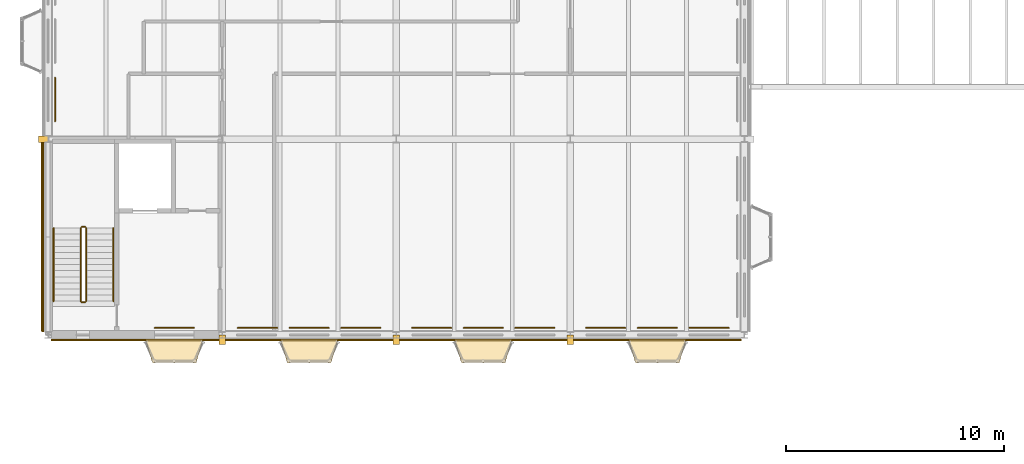
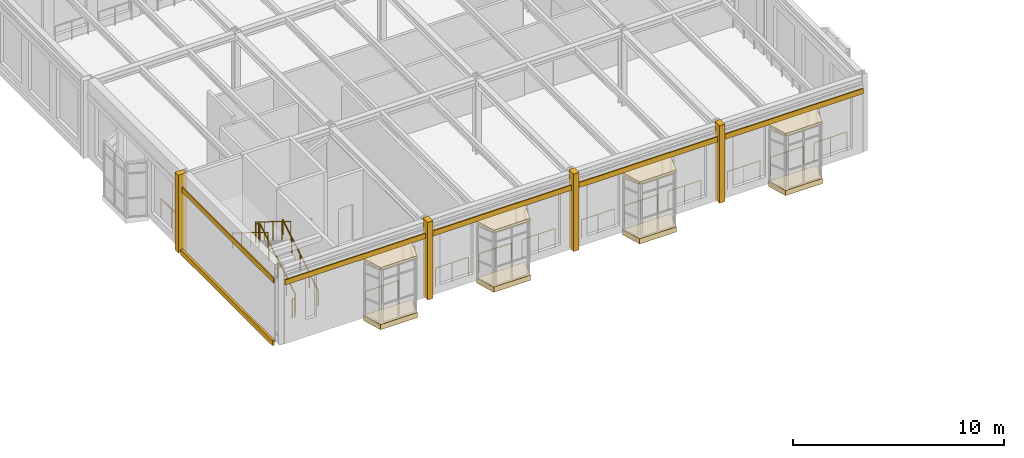
# One storey, part 138 of 153: 18 coverings, 17 railings.
"""IFC4 building model written with IfcOpenShell, lengths in metres."""

from ifc_helpers import new_model, si_unit, direction, frame, origin, origin_2d, place, context, subcontext, project, spatial, polyline, rectangle, circle, outline, extrude, material, layer, layer_set, type_object, element, save


model = new_model("IFC4")

# Units and contexts
model_context = context("Model", 3, precision=1e-05, world=origin(), true_north=direction((0.0, 1.0)))
body_context = subcontext(model_context, "Body", "Model", "MODEL_VIEW")
ifc_project = project(units=[si_unit("LENGTHUNIT", "METRE"), si_unit("AREAUNIT", "SQUARE_METRE"), si_unit("VOLUMEUNIT", "CUBIC_METRE"), si_unit("PLANEANGLEUNIT", "RADIAN"), si_unit("MASSUNIT", "GRAM", prefix="KILO")], contexts=[model_context])

# Site, building, storey
site_placement = place(None, origin())
site = spatial("IfcSite", under=ifc_project, at=site_placement, CompositionType="ELEMENT")
building_placement = place(site_placement, origin())
building = spatial("IfcBuilding", under=site, at=building_placement, Name="Kallimachos Central Library", CompositionType="ELEMENT")
storey_placement = place(building_placement, frame((0.0, 0.0, 5.39990234375)))
storey = spatial("IfcBuildingStorey", under=building, at=storey_placement, Name="L01", CompositionType="ELEMENT", Elevation=5.39990234375)

# Railings
ifc_material_1 = material(Name="Steel S355J2", Category="steel")
railing_type_1 = type_object("IfcRailingType", Name="Stair guard 1100", PredefinedType="GUARDRAIL", material=ifc_material_1)
railing_1_placement = place(storey_placement, frame((7.75, 88.550048828125, 0.173095703125)))
element("IfcRailing", 1, at=railing_1_placement, inside=storey, type_object=railing_type_1, Name="L01 ST5 stair guard 1", PredefinedType="GUARDRAIL", context=body_context, shape_type="SweptSolid", body=[
    extrude(circle(Radius=0.02392578125, at=origin_2d()), frame((0.0, 0.0, 1.076171875), z_axis=(0.0, 0.850606129759, 0.525803396734), x_axis=(-1.0, 0.0, 0.0)), (0.0, 0.0, 1.0), 3.949951171875),
    extrude(circle(Radius=0.02099609375, at=origin_2d()), origin(), (0.0, 0.0, 1.0), 1.052001953125),
    extrude(circle(Radius=0.02099609375, at=origin_2d()), frame((0.0, 0.83984375, 0.519287109375)), (0.0, 0.0, 1.0), 1.052001953125),
    extrude(circle(Radius=0.02099609375, at=origin_2d()), frame((0.0, 1.679931640625, 1.03857421875)), (0.0, 0.0, 1.0), 1.052001953125),
    extrude(circle(Radius=0.02099609375, at=origin_2d()), frame((0.0, 2.52001953125, 1.5576171875)), (0.0, 0.0, 1.0), 1.052001953125),
    extrude(circle(Radius=0.02099609375, at=origin_2d()), frame((0.0, 3.35986328125, 2.076904296875)), (0.0, 0.0, 1.0), 1.052001953125),
])
railing_2_placement = place(storey_placement, frame((7.699951171875, 91.9599609375, 2.25)))
element("IfcRailing", 2, at=railing_2_placement, inside=storey, type_object=railing_type_1, Name="L01 ST5 stair guard 2", PredefinedType="GUARDRAIL", context=body_context, shape_type="SweptSolid", body=[
    extrude(circle(Radius=0.02392578125, at=origin_2d()), frame((0.0, 0.0, 1.076171875), z_axis=(-1.0, 0.0, 0.0), x_axis=(0.0, -1.0, 0.0)), (0.0, 0.0, 1.0), 0.14990234375),
    extrude(circle(Radius=0.02099609375, at=origin_2d()), origin(), (0.0, 0.0, 1.0), 1.052001953125),
    extrude(circle(Radius=0.02099609375, at=origin_2d()), frame((-0.14990234375, 0.0, 0.0)), (0.0, 0.0, 1.0), 1.052001953125),
])
railing_3_placement = place(storey_placement, frame((7.5, 91.909912109375, 2.423095703125)))
element("IfcRailing", 3, at=railing_3_placement, inside=storey, type_object=railing_type_1, Name="L01 ST5 stair guard 3", PredefinedType="GUARDRAIL", context=body_context, shape_type="SweptSolid", body=[
    extrude(circle(Radius=0.02392578125, at=origin_2d()), frame((0.0, 0.0, 1.076171875), z_axis=(0.0, -0.850606129759, 0.525803396734), x_axis=(1.0, 0.0, 0.0)), (0.0, 0.0, 1.0), 3.949951171875),
    extrude(circle(Radius=0.02099609375, at=origin_2d()), origin(), (0.0, 0.0, 1.0), 1.052001953125),
    extrude(circle(Radius=0.02099609375, at=origin_2d()), frame((0.0, -0.83984375, 0.519287109375)), (0.0, 0.0, 1.0), 1.052001953125),
    extrude(circle(Radius=0.02099609375, at=origin_2d()), frame((0.0, -1.679931640625, 1.03857421875)), (0.0, 0.0, 1.0), 1.052001953125),
    extrude(circle(Radius=0.02099609375, at=origin_2d()), frame((0.0, -2.52001953125, 1.5576171875)), (0.0, 0.0, 1.0), 1.052001953125),
    extrude(circle(Radius=0.02099609375, at=origin_2d()), frame((0.0, -3.35986328125, 2.076904296875)), (0.0, 0.0, 1.0), 1.052001953125),
])
railing_4_placement = place(storey_placement, frame((7.699951171875, 88.5, 0.0)))
element("IfcRailing", 4, at=railing_4_placement, inside=storey, type_object=railing_type_1, Name="L01 ST5 stair guard 4", PredefinedType="GUARDRAIL", context=body_context, shape_type="SweptSolid", body=[
    extrude(circle(Radius=0.02392578125, at=origin_2d()), frame((0.0, 0.0, 1.076171875), z_axis=(-1.0, 0.0, 0.0), x_axis=(0.0, -1.0, 0.0)), (0.0, 0.0, 1.0), 0.14990234375),
    extrude(circle(Radius=0.02099609375, at=origin_2d()), origin(), (0.0, 0.0, 1.0), 1.052001953125),
    extrude(circle(Radius=0.02099609375, at=origin_2d()), frame((-0.14990234375, 0.0, 0.0)), (0.0, 0.0, 1.0), 1.052001953125),
])
ifc_material_2 = material(Name="Steel S355J2", Category="steel")
railing_type_2 = type_object("IfcRailingType", Name="Stair handrail 900", PredefinedType="HANDRAIL", material=ifc_material_2)
railing_5_placement = place(storey_placement, frame((9.0, 88.550048828125, 0.173095703125)))
element("IfcRailing", 5, at=railing_5_placement, inside=storey, type_object=railing_type_2, Name="L01 ST5 stair handrail 1", PredefinedType="HANDRAIL", context=body_context, shape_type="SweptSolid", body=[
    extrude(circle(Radius=0.02392578125, at=origin_2d()), frame((0.0, 0.0, 0.8759765625), z_axis=(0.0, 0.850606129759, 0.525803396734), x_axis=(-1.0, 0.0, 0.0)), (0.0, 0.0, 1.0), 3.949951171875),
    extrude(circle(Radius=0.02099609375, at=origin_2d()), origin(), (0.0, 0.0, 1.0), 0.851806640625),
    extrude(circle(Radius=0.02099609375, at=origin_2d()), frame((0.0, 0.83984375, 0.519287109375)), (0.0, 0.0, 1.0), 0.851806640625),
    extrude(circle(Radius=0.02099609375, at=origin_2d()), frame((0.0, 1.679931640625, 1.03857421875)), (0.0, 0.0, 1.0), 0.851806640625),
    extrude(circle(Radius=0.02099609375, at=origin_2d()), frame((0.0, 2.52001953125, 1.5576171875)), (0.0, 0.0, 1.0), 0.851806640625),
    extrude(circle(Radius=0.02099609375, at=origin_2d()), frame((0.0, 3.35986328125, 2.076904296875)), (0.0, 0.0, 1.0), 0.851806640625),
])
railing_6_placement = place(storey_placement, frame((6.25, 91.909912109375, 2.423095703125)))
element("IfcRailing", 6, at=railing_6_placement, inside=storey, type_object=railing_type_2, Name="L01 ST5 stair handrail 2", PredefinedType="HANDRAIL", context=body_context, shape_type="SweptSolid", body=[
    extrude(circle(Radius=0.02392578125, at=origin_2d()), frame((0.0, 0.0, 0.8759765625), z_axis=(0.0, -0.850606129759, 0.525803396734), x_axis=(1.0, 0.0, 0.0)), (0.0, 0.0, 1.0), 3.949951171875),
    extrude(circle(Radius=0.02099609375, at=origin_2d()), origin(), (0.0, 0.0, 1.0), 0.851806640625),
    extrude(circle(Radius=0.02099609375, at=origin_2d()), frame((0.0, -0.83984375, 0.519287109375)), (0.0, 0.0, 1.0), 0.851806640625),
    extrude(circle(Radius=0.02099609375, at=origin_2d()), frame((0.0, -1.679931640625, 1.03857421875)), (0.0, 0.0, 1.0), 0.851806640625),
    extrude(circle(Radius=0.02099609375, at=origin_2d()), frame((0.0, -2.52001953125, 1.5576171875)), (0.0, 0.0, 1.0), 0.851806640625),
    extrude(circle(Radius=0.02099609375, at=origin_2d()), frame((0.0, -3.35986328125, 2.076904296875)), (0.0, 0.0, 1.0), 0.851806640625),
])

# Coverings
ifc_material_3 = material(Name="Pentelic marble pilaster", Category="masonry")
ifc_layer_1 = layer(ifc_material_3, 0.25)
ifc_layer_set_1 = layer_set([ifc_layer_1], Name="Stone pilaster 250")
covering_type_1 = type_object("IfcCoveringType", Name="Stone pilaster 250", PredefinedType="CLADDING", material=ifc_layer_set_1)
for number, where, z_axis, x_axis, name in (
    (7, (14.0, 86.77490234375, 0.0), (0.0, 0.0, 1.0), (1.0, 0.0, 0.0), "Stone pilaster 250 -L01-005"),
    (8, (22.0, 86.77490234375, 0.0), (0.0, 0.0, 1.0), (1.0, 0.0, 0.0), "Stone pilaster 250 -L01-006"),
    (9, (30.0, 86.77490234375, 0.0), (0.0, 0.0, 1.0), (1.0, 0.0, 0.0), "Stone pilaster 250 -L01-007"),
):
    element("IfcCovering", number, at=place(storey_placement, frame(where, z_axis=z_axis, x_axis=x_axis)), inside=storey, type_object=covering_type_1, Name=name, PredefinedType="CLADDING", context=body_context, shape_type="SweptSolid", body=[
        extrude(rectangle(XDim=0.300048828125, YDim=0.449951171875, at=origin_2d()), origin(), (0.0, 0.0, 1.0), 4.5),
    ])
covering_1_placement = place(storey_placement, frame((5.77490234375, 96.0, 0.0), z_axis=(0.0, 0.0, 1.0), x_axis=(1.0, 0.0, 0.0)))
element("IfcCovering", 10, at=covering_1_placement, inside=storey, type_object=covering_type_1, Name="Stone pilaster 250 -L01-013", PredefinedType="CLADDING", context=body_context, shape_type="SweptSolid", body=[
    extrude(rectangle(XDim=0.449951171875, YDim=0.300048828125, at=origin_2d()), origin(), (0.0, 0.0, 1.0), 4.5),
])
ifc_material_4 = material(Name="Pentelic marble string course", Category="masonry")
ifc_layer_2 = layer(ifc_material_4, 0.1201171875)
ifc_layer_set_2 = layer_set([ifc_layer_2], Name="Stone string course 300")
covering_type_2 = type_object("IfcCoveringType", Name="Stone string course 300", PredefinedType="MOLDING", material=ifc_layer_set_2)
covering_2_placement = place(storey_placement, frame((5.739990234375, 91.5, -0.14990234375), z_axis=(0.0, 0.0, 1.0), x_axis=(1.0, 0.0, 0.0)))
element("IfcCovering", 11, at=covering_2_placement, inside=storey, type_object=covering_type_2, Name="Stone string course 300 -L01-013", PredefinedType="MOLDING", context=body_context, shape_type="SweptSolid", body=[
    extrude(rectangle(XDim=0.1201171875, YDim=8.699951171875, at=origin_2d()), origin(), (0.0, 0.0, 1.0), 0.300048828125),
])
ifc_material_5 = material(Name="Lead-coated copper sheet")
ifc_layer_3 = layer(ifc_material_5, 0.14990234375)
ifc_layer_set_3 = layer_set([ifc_layer_3], Name="Tribune bay roof cap 150")
covering_type_3 = type_object("IfcCoveringType", Name="Tribune bay roof cap 150", PredefinedType="ROOFING", material=ifc_layer_set_3)
covering_3_placement = place(storey_placement, frame((0.0, 0.0, 3.300048828125)))
element("IfcCovering", 12, at=covering_3_placement, inside=storey, type_object=covering_type_3, Name="Tribune bay roof cap", PredefinedType="ROOFING", context=body_context, shape_type="SweptSolid", body=[
    extrude(outline(polyline([(10.47509765625, 86.800048828125), (13.125, 86.800048828125), (12.804931640625, 85.719970703125), (10.794921875, 85.719970703125), (10.47509765625, 86.800048828125)])), origin(), (0.0, 0.0, 1.0), 0.150146484375),
])
covering_4_placement = place(storey_placement, frame((0.0, 0.0, 3.300048828125)))
element("IfcCovering", 13, at=covering_4_placement, inside=storey, type_object=covering_type_3, Name="Tribune bay roof cap", PredefinedType="ROOFING", context=body_context, shape_type="SweptSolid", body=[
    extrude(outline(polyline([(16.675048828125, 86.800048828125), (19.324951171875, 86.800048828125), (19.0048828125, 85.719970703125), (16.9951171875, 85.719970703125), (16.675048828125, 86.800048828125)])), origin(), (0.0, 0.0, 1.0), 0.150146484375),
])
covering_5_placement = place(storey_placement, frame((0.0, 0.0, 3.300048828125)))
element("IfcCovering", 14, at=covering_5_placement, inside=storey, type_object=covering_type_3, Name="Tribune bay roof cap", PredefinedType="ROOFING", context=body_context, shape_type="SweptSolid", body=[
    extrude(outline(polyline([(24.675048828125, 86.800048828125), (27.324951171875, 86.800048828125), (27.0048828125, 85.719970703125), (24.9951171875, 85.719970703125), (24.675048828125, 86.800048828125)])), origin(), (0.0, 0.0, 1.0), 0.150146484375),
])
covering_6_placement = place(storey_placement, frame((0.0, 0.0, 3.300048828125)))
element("IfcCovering", 15, at=covering_6_placement, inside=storey, type_object=covering_type_3, Name="Tribune bay roof cap", PredefinedType="ROOFING", context=body_context, shape_type="SweptSolid", body=[
    extrude(outline(polyline([(32.675048828125, 86.800048828125), (35.324951171875, 86.800048828125), (35.0048828125, 85.719970703125), (32.9951171875, 85.719970703125), (32.675048828125, 86.800048828125)])), origin(), (0.0, 0.0, 1.0), 0.150146484375),
])
ifc_material_6 = material(Name="Pentelic marble tribune base", Category="masonry")
ifc_layer_4 = layer(ifc_material_6, 0.300048828125)
ifc_layer_set_4 = layer_set([ifc_layer_4], Name="Tribune bay stone base 300")
covering_type_4 = type_object("IfcCoveringType", Name="Tribune bay stone base 300", PredefinedType="MOLDING", material=ifc_layer_set_4)
covering_7_placement = place(storey_placement, frame((0.0, 0.0, -0.14990234375)))
element("IfcCovering", 16, at=covering_7_placement, inside=storey, type_object=covering_type_4, Name="Tribune bay base", PredefinedType="MOLDING", context=body_context, shape_type="SweptSolid", body=[
    extrude(outline(polyline([(10.47509765625, 86.800048828125), (13.125, 86.800048828125), (12.804931640625, 85.719970703125), (10.794921875, 85.719970703125), (10.47509765625, 86.800048828125)])), origin(), (0.0, 0.0, 1.0), 0.300048828125),
])
covering_8_placement = place(storey_placement, frame((0.0, 0.0, -0.14990234375)))
element("IfcCovering", 17, at=covering_8_placement, inside=storey, type_object=covering_type_4, Name="Tribune bay base", PredefinedType="MOLDING", context=body_context, shape_type="SweptSolid", body=[
    extrude(outline(polyline([(16.675048828125, 86.800048828125), (19.324951171875, 86.800048828125), (19.0048828125, 85.719970703125), (16.9951171875, 85.719970703125), (16.675048828125, 86.800048828125)])), origin(), (0.0, 0.0, 1.0), 0.300048828125),
])
covering_9_placement = place(storey_placement, frame((0.0, 0.0, -0.14990234375)))
element("IfcCovering", 18, at=covering_9_placement, inside=storey, type_object=covering_type_4, Name="Tribune bay base", PredefinedType="MOLDING", context=body_context, shape_type="SweptSolid", body=[
    extrude(outline(polyline([(24.675048828125, 86.800048828125), (27.324951171875, 86.800048828125), (27.0048828125, 85.719970703125), (24.9951171875, 85.719970703125), (24.675048828125, 86.800048828125)])), origin(), (0.0, 0.0, 1.0), 0.300048828125),
])
covering_10_placement = place(storey_placement, frame((0.0, 0.0, -0.14990234375)))
element("IfcCovering", 19, at=covering_10_placement, inside=storey, type_object=covering_type_4, Name="Tribune bay base", PredefinedType="MOLDING", context=body_context, shape_type="SweptSolid", body=[
    extrude(outline(polyline([(32.675048828125, 86.800048828125), (35.324951171875, 86.800048828125), (35.0048828125, 85.719970703125), (32.9951171875, 85.719970703125), (32.675048828125, 86.800048828125)])), origin(), (0.0, 0.0, 1.0), 0.300048828125),
])

# Railings
ifc_material_7 = material(Name="Wrought iron")
railing_type_3 = type_object("IfcRailingType", Name="Window guard 1100", PredefinedType="GUARDRAIL", material=ifc_material_7)
railing_7_placement = place(storey_placement, frame((10.89990234375, 87.320068359375, 0.0)))
element("IfcRailing", 20, at=railing_7_placement, inside=storey, type_object=railing_type_3, Name="Window guard", PredefinedType="GUARDRAIL", context=body_context, shape_type="SweptSolid", body=[
    extrude(circle(Radius=0.02392578125, at=origin_2d()), frame((0.0, 0.0, 1.076171875), z_axis=(1.0, 0.0, 0.0), x_axis=(0.0, 1.0, 0.0)), (0.0, 0.0, 1.0), 1.800048828125),
    extrude(circle(Radius=0.02099609375, at=origin_2d()), origin(), (0.0, 0.0, 1.0), 1.052001953125),
    extrude(circle(Radius=0.02099609375, at=origin_2d()), frame((0.89990234375, 0.0, 0.0)), (0.0, 0.0, 1.0), 1.052001953125),
    extrude(circle(Radius=0.02099609375, at=origin_2d()), frame((1.800048828125, 0.0, 0.0)), (0.0, 0.0, 1.0), 1.052001953125),
])
for number, where, name in (
    (21, (14.72509765625, 87.320068359375, 0.0), "Window guard"),
    (22, (17.10009765625, 87.320068359375, 0.0), "Window guard"),
    (23, (19.47509765625, 87.320068359375, 0.0), "Window guard"),
    (24, (22.72509765625, 87.320068359375, 0.0), "Window guard"),
    (25, (25.10009765625, 87.320068359375, 0.0), "Window guard"),
    (26, (27.47509765625, 87.320068359375, 0.0), "Window guard"),
    (27, (30.72509765625, 87.320068359375, 0.0), "Window guard"),
    (28, (33.10009765625, 87.320068359375, 0.0), "Window guard"),
    (29, (35.47509765625, 87.320068359375, 0.0), "Window guard"),
):
    element("IfcRailing", number, at=place(storey_placement, frame(where)), inside=storey, type_object=railing_type_3, Name=name, PredefinedType="GUARDRAIL", context=body_context, shape_type="SweptSolid", body=[
        extrude(circle(Radius=0.02392578125, at=origin_2d()), frame((0.0, 0.0, 1.076171875), z_axis=(1.0, 0.0, 0.0), x_axis=(0.0, 1.0, 0.0)), (0.0, 0.0, 1.0), 1.7998046875),
        extrude(circle(Radius=0.02099609375, at=origin_2d()), origin(), (0.0, 0.0, 1.0), 1.052001953125),
        extrude(circle(Radius=0.02099609375, at=origin_2d()), frame((0.89990234375, 0.0, 0.0)), (0.0, 0.0, 1.0), 1.052001953125),
        extrude(circle(Radius=0.02099609375, at=origin_2d()), frame((1.7998046875, 0.0, 0.0)), (0.0, 0.0, 1.0), 1.052001953125),
    ])
railing_8_placement = place(storey_placement, frame((6.320068359375, 96.824951171875, 0.0)))
element("IfcRailing", 30, at=railing_8_placement, inside=storey, type_object=railing_type_3, Name="Window guard", PredefinedType="GUARDRAIL", context=body_context, shape_type="SweptSolid", body=[
    extrude(circle(Radius=0.02392578125, at=origin_2d()), frame((0.0, 0.0, 1.076171875), z_axis=(0.0, 1.0, 0.0), x_axis=(-1.0, 0.0, 0.0)), (0.0, 0.0, 1.0), 2.0),
    extrude(circle(Radius=0.02099609375, at=origin_2d()), origin(), (0.0, 0.0, 1.0), 1.052001953125),
    extrude(circle(Radius=0.02099609375, at=origin_2d()), frame((0.0, 1.0, 0.0)), (0.0, 0.0, 1.0), 1.052001953125),
    extrude(circle(Radius=0.02099609375, at=origin_2d()), frame((0.0, 2.0, 0.0)), (0.0, 0.0, 1.0), 1.052001953125),
])

# Coverings
ifc_material_8 = material(Name="Pentelic marble", Category="masonry")
ifc_layer_5 = layer(ifc_material_8, 0.06005859375)
ifc_layer_set_5 = layer_set([ifc_layer_5], Name="Window head band")
covering_type_5 = type_object("IfcCoveringType", Name="Window head band", PredefinedType="MOLDING", material=ifc_layer_set_5)
for number, where, z_axis, x_axis, name in (
    (31, (10.0, 86.77001953125, 3.4501953125), (0.0, 0.0, 1.0), (1.0, 0.0, 0.0), "head band S6"),
    (32, (18.0, 86.77001953125, 3.4501953125), (0.0, 0.0, 1.0), (1.0, 0.0, 0.0), "head band S14"),
    (33, (26.0, 86.77001953125, 3.4501953125), (0.0, 0.0, 1.0), (1.0, 0.0, 0.0), "head band S22"),
    (34, (34.0, 86.77001953125, 3.4501953125), (0.0, 0.0, 1.0), (1.0, 0.0, 0.0), "head band S30"),
):
    element("IfcCovering", number, at=place(storey_placement, frame(where, z_axis=z_axis, x_axis=x_axis)), inside=storey, type_object=covering_type_5, Name=name, PredefinedType="MOLDING", context=body_context, shape_type="SweptSolid", body=[
        extrude(rectangle(XDim=7.699951171875, YDim=0.06005859375, at=origin_2d()), origin(), (0.0, 0.0, 1.0), 0.300048828125),
    ])
covering_11_placement = place(storey_placement, frame((5.77001953125, 91.5, 3.4501953125), z_axis=(0.0, 0.0, 1.0), x_axis=(1.0, 0.0, 0.0)))
element("IfcCovering", 35, at=covering_11_placement, inside=storey, type_object=covering_type_5, Name="head band W87", PredefinedType="MOLDING", context=body_context, shape_type="SweptSolid", body=[
    extrude(rectangle(XDim=0.06005859375, YDim=8.699951171875, at=origin_2d()), origin(), (0.0, 0.0, 1.0), 0.300048828125),
])

save(model, "model.ifc")
